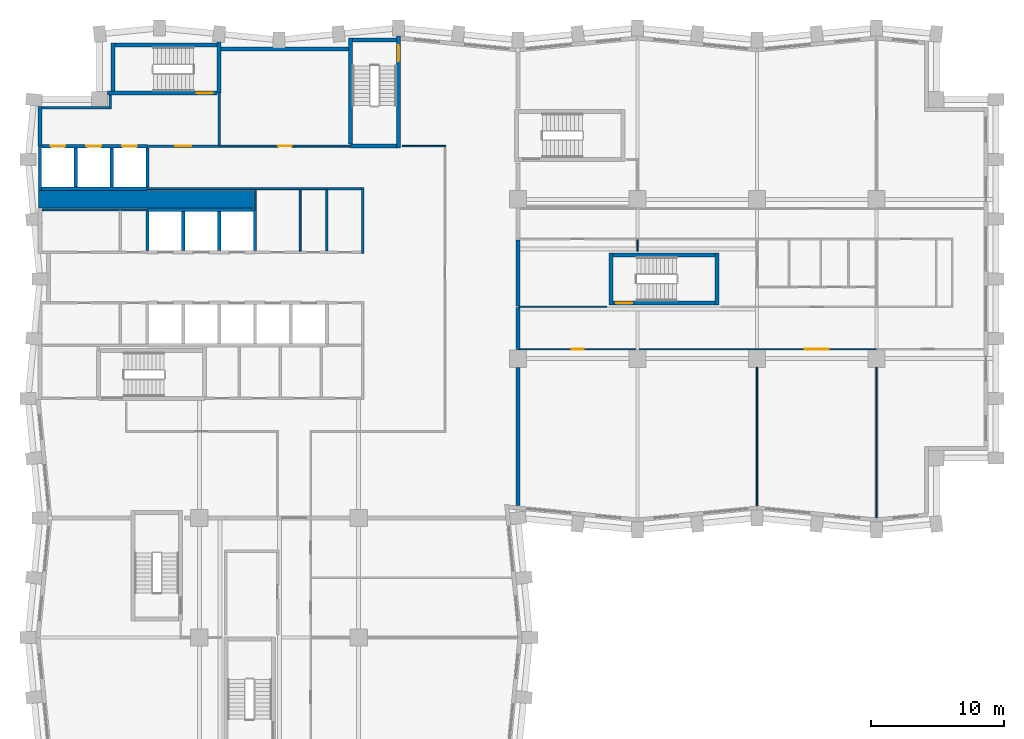
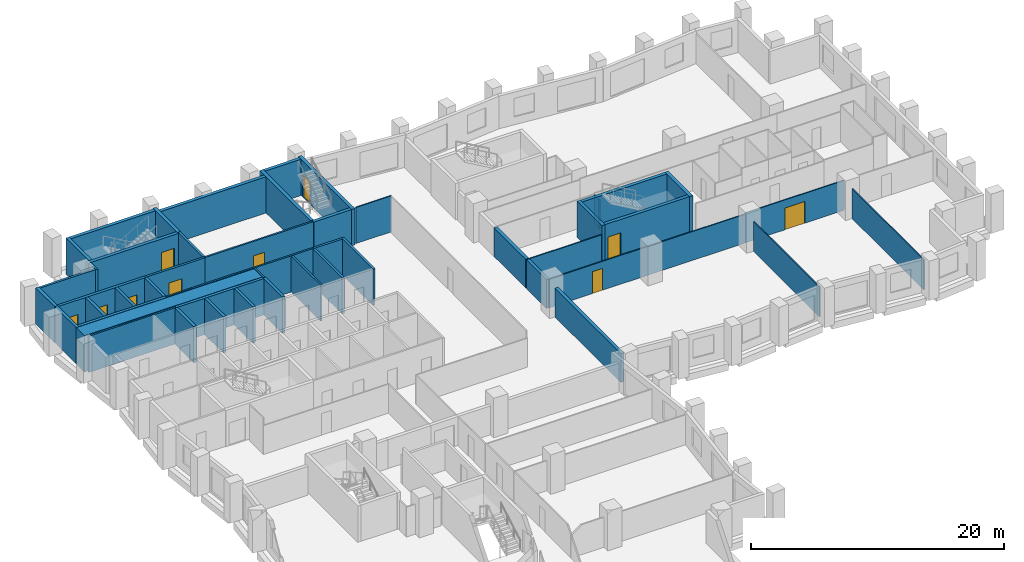
# One storey, part 6 of 11: 48 walls, 10 doors, 10 openings.
"""IFC4 building model written with IfcOpenShell, lengths in metres."""

from ifc_helpers import new_model, si_unit, direction, frame, frame_2d, origin, place, context, subcontext, project, spatial, rectangle, extrude, material, layer, layer_set, type_object, element, fill, save


model = new_model("IFC4")

# Units and contexts
model_context = context("Model", 3, precision=1e-05, world=origin(), true_north=direction((0.0, 1.0)))
body_context = subcontext(model_context, "Body", "Model", "MODEL_VIEW")
ifc_project = project(units=[si_unit("LENGTHUNIT", "METRE"), si_unit("AREAUNIT", "SQUARE_METRE"), si_unit("VOLUMEUNIT", "CUBIC_METRE"), si_unit("PLANEANGLEUNIT", "RADIAN"), si_unit("MASSUNIT", "GRAM", prefix="KILO")], contexts=[model_context])

# Site, building, storey
site_placement = place(None, origin())
site = spatial("IfcSite", under=ifc_project, at=site_placement, CompositionType="ELEMENT")
building_placement = place(site_placement, origin())
building = spatial("IfcBuilding", under=site, at=building_placement, Name="Brondeck Convention Tower", CompositionType="ELEMENT")
storey_placement = place(building_placement, frame((0.0, 0.0, 99.89990234375)))
storey = spatial("IfcBuildingStorey", under=building, at=storey_placement, Name="L23", CompositionType="ELEMENT", Elevation=99.89990234375)

# Walls
ifc_material_1 = material(Name="Concrete compartment wall C30/37", Category="concrete")
ifc_layer_1 = layer(ifc_material_1, 0.300048828125)
ifc_layer_set_1 = layer_set([ifc_layer_1], Name="Compartment wall 300")
wall_type_1 = type_object("IfcWallType", Name="Compartment wall 300", PredefinedType="PARTITIONING", material=ifc_layer_set_1)
wall_1_placement = place(storey_placement, frame((36.0, 27.924560546875, 0.0), z_axis=(0.0, 0.0, 1.0), x_axis=(0.0, 1.0, 0.0)))
element("IfcWall", 1, at=wall_1_placement, inside=storey, type_object=wall_type_1, Name="FLR-L23-W027", PredefinedType="PARTITIONING", context=body_context, shape_type="SweptSolid", body=[
    extrude(rectangle(XDim=10.42041015625, YDim=0.300048828125, at=frame_2d((5.210205078125, 0.0))), origin(), (0.0, 0.0, 1.0), 2.780029296875),
])
wall_2_placement = place(storey_placement, frame((36.0, 39.669921875, 0.0), z_axis=(0.0, 0.0, 1.0), x_axis=(0.0, 1.0, 0.0)))
element("IfcWall", 2, at=wall_2_placement, inside=storey, type_object=wall_type_1, Name="FLR-L23-W037", PredefinedType="PARTITIONING", context=body_context, shape_type="SweptSolid", body=[
    extrude(rectangle(XDim=3.18017578125, YDim=0.300048828125, at=frame_2d((1.590087890625, 0.0))), origin(), (0.0, 0.0, 1.0), 2.780029296875),
])
wall_3_placement = place(storey_placement, frame((36.0, 42.949951171875, 0.0), z_axis=(0.0, 0.0, 1.0), x_axis=(0.0, 1.0, 0.0)))
element("IfcWall", 3, at=wall_3_placement, inside=storey, type_object=wall_type_1, Name="FLR-L23-W042", PredefinedType="PARTITIONING", context=body_context, shape_type="SweptSolid", body=[
    extrude(rectangle(XDim=5.0, YDim=0.300048828125, at=frame_2d((2.5, 0.0))), origin(), (0.0, 0.0, 1.0), 2.780029296875),
])
ifc_material_2 = material(Name="Concrete C70/85", Category="concrete")
ifc_layer_2 = layer(ifc_material_2, 0.199951171875)
ifc_layer_set_2 = layer_set([ifc_layer_2], Name="Core beam-seat wall 200 Concrete C70/85")
wall_type_2 = type_object("IfcWallType", Name="Core beam-seat wall 200 Concrete C70/85", PredefinedType="SHEAR", material=ifc_layer_set_2)
wall_4_placement = place(storey_placement, frame((24.300048828125, 46.89990234375, 0.0), z_axis=(0.0, 0.0, 1.0), x_axis=(0.0, 1.0, 0.0)))
element("IfcWall", 4, at=wall_4_placement, inside=storey, type_object=wall_type_2, Name="L23 core wall", PredefinedType="SHEAR", context=body_context, shape_type="SweptSolid", body=[
    extrude(rectangle(XDim=5.0, YDim=0.199951171875, at=frame_2d((2.5, 0.0))), origin(), (0.0, 0.0, 1.0), 3.5),
])
ifc_layer_3 = layer(ifc_material_2, 0.300048828125)
ifc_layer_set_3 = layer_set([ifc_layer_3], Name="Core outer wall 300 Concrete C70/85")
wall_type_3 = type_object("IfcWallType", Name="Core outer wall 300 Concrete C70/85", PredefinedType="SHEAR", material=ifc_layer_set_3)
wall_5_placement = place(storey_placement, frame((13.64990234375, 62.300048828125, 0.0), z_axis=(0.0, 0.0, 1.0), x_axis=(1.0, 0.0, 0.0)))
element("IfcWall", 5, at=wall_5_placement, inside=storey, type_object=wall_type_3, Name="L23 core wall", PredefinedType="SHEAR", context=body_context, shape_type="SweptSolid", body=[
    extrude(rectangle(XDim=9.60009765625, YDim=0.300048828125, at=frame_2d((4.800048828125, 0.0))), origin(), (0.0, 0.0, 1.0), 3.5),
])
wall_6_placement = place(storey_placement, frame((0.0, 55.0, 0.0), z_axis=(0.0, 0.0, 1.0), x_axis=(0.0, 1.0, 0.0)))
element("IfcWall", 6, at=wall_6_placement, inside=storey, type_object=wall_type_3, Name="L23 core wall", PredefinedType="SHEAR", context=body_context, shape_type="SweptSolid", body=[
    extrude(rectangle(XDim=3.0, YDim=0.300048828125, at=frame_2d((1.5, 0.0))), origin(), (0.0, 0.0, 1.0), 3.5),
])
ifc_material_3 = material(Name="Fire-rated gypsum board partition")
ifc_layer_4 = layer(ifc_material_3, 0.14990234375)
ifc_layer_set_4 = layer_set([ifc_layer_4], Name="Core partition 150 EI 60")
wall_type_4 = type_object("IfcWallType", Name="Core partition 150 EI 60", PredefinedType="PARTITIONING", material=ifc_layer_set_4)
wall_7_placement = place(storey_placement, frame((0.14990234375, 50.199951171875, 0.0), z_axis=(0.0, 0.0, 1.0), x_axis=(1.0, 0.0, 0.0)))
element("IfcWall", 7, at=wall_7_placement, inside=storey, type_object=wall_type_4, Name="L23 core wall", PredefinedType="PARTITIONING", context=body_context, shape_type="SweptSolid", body=[
    extrude(rectangle(XDim=7.9501953125, YDim=0.14990234375, at=frame_2d((3.97509765625, 0.0))), origin(), (0.0, 0.0, 1.0), 3.5),
])
wall_8_placement = place(storey_placement, frame((8.10009765625, 51.800048828125, 0.0), z_axis=(0.0, 0.0, 1.0), x_axis=(1.0, 0.0, 0.0)))
element("IfcWall", 8, at=wall_8_placement, inside=storey, type_object=wall_type_4, Name="L23 core wall", PredefinedType="PARTITIONING", context=body_context, shape_type="SweptSolid", body=[
    extrude(rectangle(XDim=13.5, YDim=0.14990234375, at=frame_2d((6.75, 0.0))), origin(), (0.0, 0.0, 1.0), 3.5),
])

# Wall, opening, door
wall_9_placement = place(storey_placement, frame((13.5, 55.0, 0.0), z_axis=(0.0, 0.0, 1.0), x_axis=(1.0, 0.0, 0.0)))
wall_9 = element("IfcWall", 9, at=wall_9_placement, inside=storey, type_object=wall_type_4, Name="L23 core wall", PredefinedType="PARTITIONING", context=body_context, shape_type="SweptSolid", body=[
    extrude(rectangle(XDim=9.89990234375, YDim=0.14990234375, at=frame_2d((4.949951171875, 0.0))), origin(), (0.0, 0.0, 1.0), 3.5),
])
opening_1_placement = place(wall_9_placement, frame((4.449951171875, 0.0, 0.0)))
opening_1 = element("IfcOpeningElement", 10, at=opening_1_placement, cuts=wall_9, Name="Opening C15-15", PredefinedType="OPENING", context=body_context, shape_type="SweptSolid", body=[
    extrude(rectangle(XDim=1.0, YDim=2.10009765625, at=frame_2d((0.5, 1.050048828125))), frame((0.0, 0.0849609375, 0.0), z_axis=(0.0, -1.0, 0.0), x_axis=(1.0, 0.0, 0.0)), (0.0, 0.0, 1.0), 0.169921875),
])
ifc_material_4 = material(Name="Steel fire door", Category="steel")
door_type_1 = type_object("IfcDoorType", Name="Room door 1000x2100 EI 60", OperationType="NOTDEFINED", PredefinedType="DOOR", material=ifc_material_4)
door_1_placement = place(opening_1_placement, origin())
door_1 = element("IfcDoor", 11, at=door_1_placement, inside=storey, type_object=door_type_1, Name="L23 Room door NE-1", OperationType="SINGLE_SWING_LEFT", OverallHeight=2.10009765625, OverallWidth=1.0, PredefinedType="DOOR", context=body_context, shape_type="SweptSolid", body=[
    extrude(rectangle(XDim=1.0, YDim=2.10009765625, at=frame_2d((0.5, 1.050048828125))), frame((0.0, 0.02490234375, 0.0), z_axis=(0.0, -1.0, 0.0), x_axis=(1.0, 0.0, 0.0)), (0.0, 0.0, 1.0), 0.050048828125),
])
fill(opening_1, door_1)

# Walls
wall_10_placement = place(storey_placement, frame((16.199951171875, 50.199951171875, 0.0), z_axis=(0.0, 0.0, 1.0), x_axis=(0.0, 1.0, 0.0)))
element("IfcWall", 12, at=wall_10_placement, inside=storey, type_object=wall_type_4, Name="L23 core wall", PredefinedType="PARTITIONING", context=body_context, shape_type="SweptSolid", body=[
    extrude(rectangle(XDim=1.525146484375, YDim=0.14990234375, at=frame_2d((0.7626953125, 0.0))), origin(), (0.0, 0.0, 1.0), 3.5),
])
wall_11_placement = place(storey_placement, frame((19.60009765625, 47.10009765625, 0.0), z_axis=(0.0, 0.0, 1.0), x_axis=(0.0, 1.0, 0.0)))
element("IfcWall", 13, at=wall_11_placement, inside=storey, type_object=wall_type_4, Name="L23 core wall", PredefinedType="PARTITIONING", context=body_context, shape_type="SweptSolid", body=[
    extrude(rectangle(XDim=4.625, YDim=0.14990234375, at=frame_2d((2.3125, 0.0))), origin(), (0.0, 0.0, 1.0), 3.5),
])
ifc_layer_5 = layer(ifc_material_2, 1.300048828125)
ifc_layer_set_5 = layer_set([ifc_layer_5], Name="Core shear wall 1300 Concrete C70/85")
wall_type_5 = type_object("IfcWallType", Name="Core shear wall 1300 Concrete C70/85", PredefinedType="SHEAR", material=ifc_layer_set_5)
wall_12_placement = place(storey_placement, frame((-0.125, 51.0, 0.0), z_axis=(0.0, 0.0, 1.0), x_axis=(1.0, 0.0, 0.0)))
element("IfcWall", 14, at=wall_12_placement, inside=storey, type_object=wall_type_5, Name="L23 core wall", PredefinedType="SHEAR", context=body_context, shape_type="SweptSolid", body=[
    extrude(rectangle(XDim=16.22509765625, YDim=1.300048828125, at=frame_2d((8.112548828125, 0.0))), origin(), (0.0, 0.0, 1.0), 3.5),
])

# Wall, opening, door
ifc_layer_6 = layer(ifc_material_3, 0.199951171875)
ifc_layer_set_6 = layer_set([ifc_layer_6], Name="Firefighting lobby wall 200 EI 120")
wall_type_6 = type_object("IfcWallType", Name="Firefighting lobby wall 200 EI 120", PredefinedType="PARTITIONING", material=ifc_layer_set_6)
wall_13_placement = place(storey_placement, frame((8.10009765625, 55.0, 0.0), z_axis=(0.0, 0.0, 1.0), x_axis=(1.0, 0.0, 0.0)))
wall_13 = element("IfcWall", 15, at=wall_13_placement, inside=storey, type_object=wall_type_6, Name="L23 core wall", PredefinedType="PARTITIONING", context=body_context, shape_type="SweptSolid", body=[
    extrude(rectangle(XDim=5.39990234375, YDim=0.199951171875, at=frame_2d((2.699951171875, 0.0))), origin(), (0.0, 0.0, 1.0), 3.5),
])
opening_2_placement = place(wall_13_placement, frame((2.10009765625, 0.0, 0.0)))
opening_2 = element("IfcOpeningElement", 16, at=opening_2_placement, cuts=wall_13, Name="Opening C15-01", PredefinedType="OPENING", context=body_context, shape_type="SweptSolid", body=[
    extrude(rectangle(XDim=1.199951171875, YDim=2.199951171875, at=frame_2d((0.60009765625, 1.10009765625))), frame((0.0, 0.10986328125, 0.0), z_axis=(0.0, -1.0, 0.0), x_axis=(1.0, 0.0, 0.0)), (0.0, 0.0, 1.0), 0.219970703125),
])
door_type_2 = type_object("IfcDoorType", Name="Firefighting lobby door 1200x2200 EI 120", OperationType="NOTDEFINED", PredefinedType="DOOR", material=ifc_material_4)
door_2_placement = place(opening_2_placement, origin())
door_2 = element("IfcDoor", 17, at=door_2_placement, inside=storey, type_object=door_type_2, Name="L23 Firefighting lobby door FFL-1", OperationType="SINGLE_SWING_RIGHT", OverallHeight=2.199951171875, OverallWidth=1.199951171875, PredefinedType="DOOR", context=body_context, shape_type="SweptSolid", body=[
    extrude(rectangle(XDim=1.199951171875, YDim=2.199951171875, at=frame_2d((0.60009765625, 1.10009765625))), frame((0.0, 0.02490234375, 0.0), z_axis=(0.0, -1.0, 0.0), x_axis=(1.0, 0.0, 0.0)), (0.0, 0.0, 1.0), 0.050048828125),
])
fill(opening_2, door_2)

# Walls
wall_14_placement = place(storey_placement, frame((0.14990234375, 57.89990234375, 0.0), z_axis=(0.0, 0.0, 1.0), x_axis=(1.0, 0.0, 0.0)))
element("IfcWall", 18, at=wall_14_placement, inside=storey, type_object=wall_type_6, Name="L23 core wall", PredefinedType="PARTITIONING", context=body_context, shape_type="SweptSolid", body=[
    extrude(rectangle(XDim=5.050048828125, YDim=0.199951171875, at=frame_2d((2.52490234375, 0.0))), origin(), (0.0, 0.0, 1.0), 3.5),
])
wall_15_placement = place(storey_placement, frame((5.300048828125, 57.800048828125, 0.0), z_axis=(0.0, 0.0, 1.0), x_axis=(0.0, 1.0, 0.0)))
element("IfcWall", 19, at=wall_15_placement, inside=storey, type_object=wall_type_6, Name="L23 core wall", PredefinedType="PARTITIONING", context=body_context, shape_type="SweptSolid", body=[
    extrude(rectangle(XDim=1.050048828125, YDim=0.199951171875, at=frame_2d((0.52490234375, 0.0))), origin(), (0.0, 0.0, 1.0), 3.5),
])
wall_16_placement = place(storey_placement, frame((13.5, 55.10009765625, 0.0), z_axis=(0.0, 0.0, 1.0), x_axis=(0.0, 1.0, 0.0)))
element("IfcWall", 20, at=wall_16_placement, inside=storey, type_object=wall_type_6, Name="L23 core wall", PredefinedType="PARTITIONING", context=body_context, shape_type="SweptSolid", body=[
    extrude(rectangle(XDim=3.89990234375, YDim=0.199951171875, at=frame_2d((1.949951171875, 0.0))), origin(), (0.0, 0.0, 1.0), 3.5),
])
ifc_layer_7 = layer(ifc_material_2, 0.25)
ifc_layer_set_7 = layer_set([ifc_layer_7], Name="Lift shaft wall 250 Concrete C70/85")
wall_type_7 = type_object("IfcWallType", Name="Lift shaft wall 250 Concrete C70/85", PredefinedType="SHEAR", material=ifc_layer_set_7)
wall_17_placement = place(storey_placement, frame((8.10009765625, 50.199951171875, 0.0), z_axis=(0.0, 0.0, 1.0), x_axis=(1.0, 0.0, 0.0)))
element("IfcWall", 21, at=wall_17_placement, inside=storey, type_object=wall_type_7, Name="L23 core wall", PredefinedType="SHEAR", context=body_context, shape_type="SweptSolid", body=[
    extrude(rectangle(XDim=7.974853515625, YDim=0.25, at=frame_2d((3.9873046875, 0.0))), origin(), (0.0, 0.0, 1.0), 3.5),
])
wall_18_placement = place(storey_placement, frame((0.125, 51.800048828125, 0.0), z_axis=(0.0, 0.0, 1.0), x_axis=(1.0, 0.0, 0.0)))
element("IfcWall", 22, at=wall_18_placement, inside=storey, type_object=wall_type_7, Name="L23 core wall", PredefinedType="SHEAR", context=body_context, shape_type="SweptSolid", body=[
    extrude(rectangle(XDim=7.97509765625, YDim=0.25, at=frame_2d((3.987548828125, 0.0))), origin(), (0.0, 0.0, 1.0), 3.5),
])

# Wall, openings, doors
wall_19_placement = place(storey_placement, frame((0.14990234375, 55.0, 0.0), z_axis=(0.0, 0.0, 1.0), x_axis=(1.0, 0.0, 0.0)))
wall_19 = element("IfcWall", 23, at=wall_19_placement, inside=storey, type_object=wall_type_7, Name="L23 core wall", PredefinedType="SHEAR", context=body_context, shape_type="SweptSolid", body=[
    extrude(rectangle(XDim=7.9501953125, YDim=0.25, at=frame_2d((3.97509765625, 0.0))), origin(), (0.0, 0.0, 1.0), 3.5),
])
opening_3_placement = place(wall_19_placement, frame((0.64990234375, 0.0, 0.0)))
opening_3 = element("IfcOpeningElement", 24, at=opening_3_placement, cuts=wall_19, Name="Opening C15-23", PredefinedType="OPENING", context=body_context, shape_type="SweptSolid", body=[
    extrude(rectangle(XDim=1.10009765625, YDim=2.10009765625, at=frame_2d((0.550048828125, 1.050048828125))), frame((0.0, 0.135009765625, 0.0), z_axis=(0.0, -1.0, 0.0), x_axis=(1.0, 0.0, 0.0)), (0.0, 0.0, 1.0), 0.27001953125),
])
opening_4_placement = place(wall_19_placement, frame((3.35009765625, 0.0, 0.0)))
opening_4 = element("IfcOpeningElement", 25, at=opening_4_placement, cuts=wall_19, Name="Opening C15-24", PredefinedType="OPENING", context=body_context, shape_type="SweptSolid", body=[
    extrude(rectangle(XDim=1.10009765625, YDim=2.10009765625, at=frame_2d((0.550048828125, 1.050048828125))), frame((0.0, 0.135009765625, 0.0), z_axis=(0.0, -1.0, 0.0), x_axis=(1.0, 0.0, 0.0)), (0.0, 0.0, 1.0), 0.27001953125),
])
opening_5_placement = place(wall_19_placement, frame((6.050048828125, 0.0, 0.0)))
opening_5 = element("IfcOpeningElement", 26, at=opening_5_placement, cuts=wall_19, Name="Opening C15-25", PredefinedType="OPENING", context=body_context, shape_type="SweptSolid", body=[
    extrude(rectangle(XDim=1.10009765625, YDim=2.10009765625, at=frame_2d((0.550048828125, 1.050048828125))), frame((0.0, 0.135009765625, 0.0), z_axis=(0.0, -1.0, 0.0), x_axis=(1.0, 0.0, 0.0)), (0.0, 0.0, 1.0), 0.27001953125),
])
ifc_material_5 = material(Name="Stainless steel lift door", Category="steel")
door_type_3 = type_object("IfcDoorType", Name="Lift landing door 1100x2100 EI 180", OperationType="DOUBLE_DOOR_SLIDING", PredefinedType="DOOR", material=ifc_material_5)
door_3_placement = place(opening_3_placement, origin())
door_3 = element("IfcDoor", 27, at=door_3_placement, inside=storey, type_object=door_type_3, Name="L23 Lift landing door FF1", OperationType="DOUBLE_DOOR_SLIDING", OverallHeight=2.10009765625, OverallWidth=1.10009765625, PredefinedType="DOOR", context=body_context, shape_type="SweptSolid", body=[
    extrude(rectangle(XDim=1.10009765625, YDim=2.10009765625, at=frame_2d((0.550048828125, 1.050048828125))), frame((0.0, 0.02490234375, 0.0), z_axis=(0.0, -1.0, 0.0), x_axis=(1.0, 0.0, 0.0)), (0.0, 0.0, 1.0), 0.050048828125),
])
fill(opening_3, door_3)
door_4_placement = place(opening_4_placement, origin())
door_4 = element("IfcDoor", 28, at=door_4_placement, inside=storey, type_object=door_type_3, Name="L23 Lift landing door FF2", OperationType="DOUBLE_DOOR_SLIDING", OverallHeight=2.10009765625, OverallWidth=1.10009765625, PredefinedType="DOOR", context=body_context, shape_type="SweptSolid", body=[
    extrude(rectangle(XDim=1.10009765625, YDim=2.10009765625, at=frame_2d((0.550048828125, 1.050048828125))), frame((0.0, 0.02490234375, 0.0), z_axis=(0.0, -1.0, 0.0), x_axis=(1.0, 0.0, 0.0)), (0.0, 0.0, 1.0), 0.050048828125),
])
fill(opening_4, door_4)
door_5_placement = place(opening_5_placement, origin())
door_5 = element("IfcDoor", 29, at=door_5_placement, inside=storey, type_object=door_type_3, Name="L23 Lift landing door FF3", OperationType="DOUBLE_DOOR_SLIDING", OverallHeight=2.10009765625, OverallWidth=1.10009765625, PredefinedType="DOOR", context=body_context, shape_type="SweptSolid", body=[
    extrude(rectangle(XDim=1.10009765625, YDim=2.10009765625, at=frame_2d((0.550048828125, 1.050048828125))), frame((0.0, 0.02490234375, 0.0), z_axis=(0.0, -1.0, 0.0), x_axis=(1.0, 0.0, 0.0)), (0.0, 0.0, 1.0), 0.050048828125),
])
fill(opening_5, door_5)

# Walls
wall_20_placement = place(storey_placement, frame((0.0, 51.64990234375, 0.0), z_axis=(0.0, 0.0, 1.0), x_axis=(0.0, 1.0, 0.0)))
element("IfcWall", 30, at=wall_20_placement, inside=storey, type_object=wall_type_7, Name="L23 core wall", PredefinedType="SHEAR", context=body_context, shape_type="SweptSolid", body=[
    extrude(rectangle(XDim=3.35009765625, YDim=0.25, at=frame_2d((1.675048828125, 0.0))), origin(), (0.0, 0.0, 1.0), 3.5),
])
for number, where, z_axis, x_axis, name in (
    (31, (2.699951171875, 51.925048828125, 0.0), (0.0, 0.0, 1.0), (0.0, 1.0, 0.0), "L23 core wall"),
    (32, (5.39990234375, 51.925048828125, 0.0), (0.0, 0.0, 1.0), (0.0, 1.0, 0.0), "L23 core wall"),
    (33, (8.10009765625, 47.125, 0.0), (0.0, 0.0, 1.0), (0.0, 1.0, 0.0), "L23 core wall"),
    (34, (8.10009765625, 51.925048828125, 0.0), (0.0, 0.0, 1.0), (0.0, 1.0, 0.0), "L23 core wall"),
    (35, (10.800048828125, 47.125, 0.0), (0.0, 0.0, 1.0), (0.0, 1.0, 0.0), "L23 core wall"),
    (36, (13.5, 47.125, 0.0), (0.0, 0.0, 1.0), (0.0, 1.0, 0.0), "L23 core wall"),
):
    element("IfcWall", number, at=place(storey_placement, frame(where, z_axis=z_axis, x_axis=x_axis)), inside=storey, type_object=wall_type_7, Name=name, PredefinedType="SHEAR", context=body_context, shape_type="SweptSolid", body=[
        extrude(rectangle(XDim=2.949951171875, YDim=0.25, at=frame_2d((1.47509765625, 0.0))), origin(), (0.0, 0.0, 1.0), 3.5),
    ])
wall_21_placement = place(storey_placement, frame((16.199951171875, 47.125, 0.0), z_axis=(0.0, 0.0, 1.0), x_axis=(0.0, 1.0, 0.0)))
element("IfcWall", 37, at=wall_21_placement, inside=storey, type_object=wall_type_7, Name="L23 core wall", PredefinedType="SHEAR", context=body_context, shape_type="SweptSolid", body=[
    extrude(rectangle(XDim=3.074951171875, YDim=0.25, at=frame_2d((1.53759765625, 0.0))), origin(), (0.0, 0.0, 1.0), 3.5),
])
ifc_layer_8 = layer(ifc_material_3, 0.199951171875)
ifc_layer_set_8 = layer_set([ifc_layer_8], Name="Riser wall 200 EI 120")
wall_type_8 = type_object("IfcWallType", Name="Riser wall 200 EI 120", PredefinedType="PARTITIONING", material=ifc_layer_set_8)
wall_22_placement = place(storey_placement, frame((21.60009765625, 51.800048828125, 0.0), z_axis=(0.0, 0.0, 1.0), x_axis=(1.0, 0.0, 0.0)))
element("IfcWall", 38, at=wall_22_placement, inside=storey, type_object=wall_type_8, Name="L23 core wall", PredefinedType="PARTITIONING", context=body_context, shape_type="SweptSolid", body=[
    extrude(rectangle(XDim=2.599853515625, YDim=0.199951171875, at=frame_2d((1.2998046875, 0.0))), origin(), (0.0, 0.0, 1.0), 3.5),
])
wall_23_placement = place(storey_placement, frame((21.60009765625, 47.10009765625, 0.0), z_axis=(0.0, 0.0, 1.0), x_axis=(0.0, 1.0, 0.0)))
element("IfcWall", 39, at=wall_23_placement, inside=storey, type_object=wall_type_8, Name="L23 core wall", PredefinedType="PARTITIONING", context=body_context, shape_type="SweptSolid", body=[
    extrude(rectangle(XDim=4.599853515625, YDim=0.199951171875, at=frame_2d((2.2998046875, 0.0))), origin(), (0.0, 0.0, 1.0), 3.5),
])
ifc_material_6 = material(Name="Gypsum board partition on steel studs", Category="steel")
ifc_layer_9 = layer(ifc_material_6, 0.10009765625)
ifc_layer_set_9 = layer_set([ifc_layer_9], Name="Room partition 100")
wall_type_9 = type_object("IfcWallType", Name="Room partition 100", PredefinedType="PARTITIONING", material=ifc_layer_set_9)
wall_24_placement = place(storey_placement, frame((54.0, 38.344970703125, 0.0), z_axis=(0.0, 0.0, 1.0), x_axis=(0.0, -1.0, 0.0)))
element("IfcWall", 40, at=wall_24_placement, inside=storey, type_object=wall_type_9, Name="FLR-L23-W032", PredefinedType="PARTITIONING", context=body_context, shape_type="SweptSolid", body=[
    extrude(rectangle(XDim=10.42041015625, YDim=0.10009765625, at=frame_2d((5.210205078125, 0.0))), origin(), (0.0, 0.0, 1.0), 2.880126953125),
])
wall_25_placement = place(storey_placement, frame((63.0, 38.344970703125, 0.0), z_axis=(0.0, 0.0, 1.0), x_axis=(0.0, -1.0, 0.0)))
element("IfcWall", 41, at=wall_25_placement, inside=storey, type_object=wall_type_9, Name="FLR-L23-W033", PredefinedType="PARTITIONING", context=body_context, shape_type="SweptSolid", body=[
    extrude(rectangle(XDim=11.320556640625, YDim=0.10009765625, at=frame_2d((5.66015625, 0.0))), origin(), (0.0, 0.0, 1.0), 2.880126953125),
])

# Wall, opening, door
wall_26_placement = place(storey_placement, frame((54.0, 39.699951171875, 0.0), z_axis=(0.0, 0.0, 1.0), x_axis=(-1.0, 0.0, 0.0)))
wall_26 = element("IfcWall", 42, at=wall_26_placement, inside=storey, type_object=wall_type_9, Name="FLR-L23-W034", PredefinedType="PARTITIONING", context=body_context, shape_type="SweptSolid", body=[
    extrude(rectangle(XDim=17.949951171875, YDim=0.10009765625, at=frame_2d((8.97509765625, 0.0))), origin(), (0.0, 0.0, 1.0), 2.780029296875),
])
opening_6_placement = place(wall_26_placement, frame((13.050048828125, 0.0, 0.0)))
opening_6 = element("IfcOpeningElement", 43, at=opening_6_placement, cuts=wall_26, Name="Opening OF-B-009", PredefinedType="OPENING", context=body_context, shape_type="SweptSolid", body=[
    extrude(rectangle(XDim=0.89990234375, YDim=2.10009765625, at=frame_2d((0.449951171875, 1.050048828125))), frame((0.0, 0.06005859375, 0.0), z_axis=(0.0, -1.0, 0.0), x_axis=(1.0, 0.0, 0.0)), (0.0, 0.0, 1.0), 0.1201171875),
])
ifc_material_7 = material(Name="Solid timber door leaf", Category="wood")
door_type_4 = type_object("IfcDoorType", Name="Single door 900", OperationType="NOTDEFINED", PredefinedType="DOOR", material=ifc_material_7)
door_6_placement = place(opening_6_placement, origin())
door_6 = element("IfcDoor", 44, at=door_6_placement, inside=storey, type_object=door_type_4, Name="Door OF-B-009", OperationType="SINGLE_SWING_LEFT", OverallHeight=2.10009765625, OverallWidth=0.89990234375, PredefinedType="DOOR", context=body_context, shape_type="SweptSolid", body=[
    extrude(rectangle(XDim=0.89990234375, YDim=2.10009765625, at=frame_2d((0.449951171875, 1.050048828125))), frame((0.0, 0.02490234375, 0.0), z_axis=(0.0, -1.0, 0.0), x_axis=(1.0, 0.0, 0.0)), (0.0, 0.0, 1.0), 0.050048828125),
])
fill(opening_6, door_6)

wall_27_placement = place(storey_placement, frame((63.0, 39.699951171875, 0.0), z_axis=(0.0, 0.0, 1.0), x_axis=(-1.0, 0.0, 0.0)))
wall_27 = element("IfcWall", 45, at=wall_27_placement, inside=storey, type_object=wall_type_9, Name="FLR-L23-W035", PredefinedType="PARTITIONING", context=body_context, shape_type="SweptSolid", body=[
    extrude(rectangle(XDim=9.0, YDim=0.10009765625, at=frame_2d((4.5, 0.0))), origin(), (0.0, 0.0, 1.0), 2.880126953125),
])
opening_7_placement = place(wall_27_placement, frame((3.60009765625, 0.0, 0.0)))
opening_7 = element("IfcOpeningElement", 46, at=opening_7_placement, cuts=wall_27, Name="Opening OF-B-010", PredefinedType="OPENING", context=body_context, shape_type="SweptSolid", body=[
    extrude(rectangle(XDim=1.800048828125, YDim=2.10009765625, at=frame_2d((0.89990234375, 1.050048828125))), frame((0.0, 0.06005859375, 0.0), z_axis=(0.0, -1.0, 0.0), x_axis=(1.0, 0.0, 0.0)), (0.0, 0.0, 1.0), 0.1201171875),
])
ifc_material_8 = material(Name="Glazed timber double door", Category="wood")
door_type_5 = type_object("IfcDoorType", Name="Double door 1800", OperationType="DOUBLE_DOOR_SINGLE_SWING", PredefinedType="DOOR", material=ifc_material_8)
door_7_placement = place(opening_7_placement, origin())
door_7 = element("IfcDoor", 47, at=door_7_placement, inside=storey, type_object=door_type_5, Name="Door OF-B-010", OperationType="DOUBLE_DOOR_SINGLE_SWING", OverallHeight=2.10009765625, OverallWidth=1.800048828125, PredefinedType="DOOR", context=body_context, shape_type="SweptSolid", body=[
    extrude(rectangle(XDim=1.800048828125, YDim=2.10009765625, at=frame_2d((0.89990234375, 1.050048828125))), frame((0.0, 0.02490234375, 0.0), z_axis=(0.0, -1.0, 0.0), x_axis=(1.0, 0.0, 0.0)), (0.0, 0.0, 1.0), 0.050048828125),
])
fill(opening_7, door_7)

# Walls
wall_28_placement = place(storey_placement, frame((36.050048828125, 42.89990234375, 0.0), z_axis=(0.0, 0.0, 1.0), x_axis=(1.0, 0.0, 0.0)))
element("IfcWall", 48, at=wall_28_placement, inside=storey, type_object=wall_type_9, Name="FLR-L23-W038", PredefinedType="PARTITIONING", context=body_context, shape_type="SweptSolid", body=[
    extrude(rectangle(XDim=6.64990234375, YDim=0.10009765625, at=frame_2d((3.324951171875, 0.0))), origin(), (0.0, 0.0, 1.0), 2.780029296875),
])
wall_29_placement = place(storey_placement, frame((45.0, 47.949951171875, 0.0), z_axis=(0.0, 0.0, 1.0), x_axis=(0.0, -1.0, 0.0)))
element("IfcWall", 49, at=wall_29_placement, inside=storey, type_object=wall_type_9, Name="FLR-L23-W049", PredefinedType="PARTITIONING", context=body_context, shape_type="SweptSolid", body=[
    extrude(rectangle(XDim=0.849853515625, YDim=0.10009765625, at=frame_2d((0.4248046875, 0.0))), origin(), (0.0, 0.0, 1.0), 2.780029296875),
])
wall_30_placement = place(storey_placement, frame((27.300048828125, 55.0, 0.0), z_axis=(0.0, 0.0, 1.0), x_axis=(1.0, 0.0, 0.0)))
element("IfcWall", 50, at=wall_30_placement, inside=storey, type_object=wall_type_9, Name="FLR-L23-W073", PredefinedType="PARTITIONING", context=body_context, shape_type="SweptSolid", body=[
    extrude(rectangle(XDim=3.25, YDim=0.10009765625, at=frame_2d((1.625, 0.0))), origin(), (0.0, 0.0, 1.0), 3.47998046875),
])

# Wall, opening, door
ifc_layer_10 = layer(ifc_material_2, 0.300048828125)
ifc_layer_set_10 = layer_set([ifc_layer_10], Name="Stair enclosure wall 300 Concrete C70/85")
wall_type_10 = type_object("IfcWallType", Name="Stair enclosure wall 300 Concrete C70/85", PredefinedType="SHEAR", material=ifc_layer_set_10)
wall_31_placement = place(storey_placement, frame((43.14990234375, 43.199951171875, 0.0), z_axis=(0.0, 0.0, 1.0), x_axis=(1.0, 0.0, 0.0)))
wall_31 = element("IfcWall", 51, at=wall_31_placement, inside=storey, type_object=wall_type_10, Name="L23 core wall", PredefinedType="SHEAR", context=body_context, shape_type="SweptSolid", body=[
    extrude(rectangle(XDim=7.7001953125, YDim=0.300048828125, at=frame_2d((3.85009765625, 0.0))), origin(), (0.0, 0.0, 1.0), 3.5),
])
opening_8_placement = place(wall_31_placement, frame((0.25, 0.0, 0.0)))
opening_8 = element("IfcOpeningElement", 52, at=opening_8_placement, cuts=wall_31, Name="Opening C15-20", PredefinedType="OPENING", context=body_context, shape_type="SweptSolid", body=[
    extrude(rectangle(XDim=1.199951171875, YDim=2.199951171875, at=frame_2d((0.60009765625, 1.10009765625))), frame((0.0, 0.159912109375, 0.0), z_axis=(0.0, -1.0, 0.0), x_axis=(1.0, 0.0, 0.0)), (0.0, 0.0, 1.0), 0.320068359375),
])
door_type_6 = type_object("IfcDoorType", Name="Stair door 1200x2200 EI 90", OperationType="NOTDEFINED", PredefinedType="DOOR", material=ifc_material_4)
door_8_placement = place(opening_8_placement, origin())
door_8 = element("IfcDoor", 53, at=door_8_placement, inside=storey, type_object=door_type_6, Name="L23 Stair door ST-AF", OperationType="SINGLE_SWING_RIGHT", OverallHeight=2.199951171875, OverallWidth=1.199951171875, PredefinedType="DOOR", context=body_context, shape_type="SweptSolid", body=[
    extrude(rectangle(XDim=1.199951171875, YDim=2.199951171875, at=frame_2d((0.60009765625, 1.10009765625))), frame((0.0, 0.02490234375, 0.0), z_axis=(0.0, -1.0, 0.0), x_axis=(1.0, 0.0, 0.0)), (0.0, 0.0, 1.0), 0.050048828125),
])
fill(opening_8, door_8)

# Walls
wall_32_placement = place(storey_placement, frame((43.14990234375, 46.800048828125, 0.0), z_axis=(0.0, 0.0, 1.0), x_axis=(1.0, 0.0, 0.0)))
element("IfcWall", 54, at=wall_32_placement, inside=storey, type_object=wall_type_10, Name="L23 core wall", PredefinedType="SHEAR", context=body_context, shape_type="SweptSolid", body=[
    extrude(rectangle(XDim=7.7001953125, YDim=0.300048828125, at=frame_2d((3.85009765625, 0.0))), origin(), (0.0, 0.0, 1.0), 3.5),
])
wall_33_placement = place(storey_placement, frame((23.39990234375, 55.0, 0.0), z_axis=(0.0, 0.0, 1.0), x_axis=(1.0, 0.0, 0.0)))
element("IfcWall", 55, at=wall_33_placement, inside=storey, type_object=wall_type_10, Name="L23 core wall", PredefinedType="SHEAR", context=body_context, shape_type="SweptSolid", body=[
    extrude(rectangle(XDim=3.4501953125, YDim=0.300048828125, at=frame_2d((1.72509765625, 0.0))), origin(), (0.0, 0.0, 1.0), 3.5),
])

# Wall, opening, door
wall_34_placement = place(storey_placement, frame((5.10009765625, 59.0, 0.0), z_axis=(0.0, 0.0, 1.0), x_axis=(1.0, 0.0, 0.0)))
wall_34 = element("IfcWall", 56, at=wall_34_placement, inside=storey, type_object=wall_type_10, Name="L23 core wall", PredefinedType="SHEAR", context=body_context, shape_type="SweptSolid", body=[
    extrude(rectangle(XDim=8.25, YDim=0.300048828125, at=frame_2d((4.125, 0.0))), origin(), (0.0, 0.0, 1.0), 3.5),
])
opening_9_placement = place(wall_34_placement, frame((6.699951171875, 0.0, 0.0)))
opening_9 = element("IfcOpeningElement", 57, at=opening_9_placement, cuts=wall_34, Name="Opening C15-18", PredefinedType="OPENING", context=body_context, shape_type="SweptSolid", body=[
    extrude(rectangle(XDim=1.199951171875, YDim=2.199951171875, at=frame_2d((0.60009765625, 1.10009765625))), frame((0.0, 0.159912109375, 0.0), z_axis=(0.0, -1.0, 0.0), x_axis=(1.0, 0.0, 0.0)), (0.0, 0.0, 1.0), 0.320068359375),
])
door_type_7 = type_object("IfcDoorType", Name="Stair door 1200x2200 EI 120", OperationType="NOTDEFINED", PredefinedType="DOOR", material=ifc_material_4)
door_9_placement = place(opening_9_placement, origin())
door_9 = element("IfcDoor", 58, at=door_9_placement, inside=storey, type_object=door_type_7, Name="L23 Stair door ST-3", OperationType="SINGLE_SWING_RIGHT", OverallHeight=2.199951171875, OverallWidth=1.199951171875, PredefinedType="DOOR", context=body_context, shape_type="SweptSolid", body=[
    extrude(rectangle(XDim=1.199951171875, YDim=2.199951171875, at=frame_2d((0.60009765625, 1.10009765625))), frame((0.0, 0.02490234375, 0.0), z_axis=(0.0, -1.0, 0.0), x_axis=(1.0, 0.0, 0.0)), (0.0, 0.0, 1.0), 0.050048828125),
])
fill(opening_9, door_9)

# Walls
wall_35_placement = place(storey_placement, frame((5.64990234375, 62.60009765625, 0.0), z_axis=(0.0, 0.0, 1.0), x_axis=(1.0, 0.0, 0.0)))
element("IfcWall", 59, at=wall_35_placement, inside=storey, type_object=wall_type_10, Name="L23 core wall", PredefinedType="SHEAR", context=body_context, shape_type="SweptSolid", body=[
    extrude(rectangle(XDim=7.7001953125, YDim=0.300048828125, at=frame_2d((3.85009765625, 0.0))), origin(), (0.0, 0.0, 1.0), 3.5),
])
wall_36_placement = place(storey_placement, frame((23.550048828125, 63.0, 0.0), z_axis=(0.0, 0.0, 1.0), x_axis=(1.0, 0.0, 0.0)))
element("IfcWall", 60, at=wall_36_placement, inside=storey, type_object=wall_type_10, Name="L23 core wall", PredefinedType="SHEAR", context=body_context, shape_type="SweptSolid", body=[
    extrude(rectangle(XDim=3.300048828125, YDim=0.300048828125, at=frame_2d((1.64990234375, 0.0))), origin(), (0.0, 0.0, 1.0), 3.5),
])
wall_37_placement = place(storey_placement, frame((5.5, 59.14990234375, 0.0), z_axis=(0.0, 0.0, 1.0), x_axis=(0.0, 1.0, 0.0)))
element("IfcWall", 61, at=wall_37_placement, inside=storey, type_object=wall_type_10, Name="L23 core wall", PredefinedType="SHEAR", context=body_context, shape_type="SweptSolid", body=[
    extrude(rectangle(XDim=3.60009765625, YDim=0.300048828125, at=frame_2d((1.800048828125, 0.0))), origin(), (0.0, 0.0, 1.0), 3.5),
])
wall_38_placement = place(storey_placement, frame((13.5, 59.0, 0.0), z_axis=(0.0, 0.0, 1.0), x_axis=(0.0, 1.0, 0.0)))
element("IfcWall", 62, at=wall_38_placement, inside=storey, type_object=wall_type_10, Name="L23 core wall", PredefinedType="SHEAR", context=body_context, shape_type="SweptSolid", body=[
    extrude(rectangle(XDim=3.846923828125, YDim=0.300048828125, at=frame_2d((1.92333984375, 0.0))), origin(), (0.0, 0.0, 1.0), 3.5),
])
wall_39_placement = place(storey_placement, frame((23.39990234375, 55.14990234375, 0.0), z_axis=(0.0, 0.0, 1.0), x_axis=(0.0, 1.0, 0.0)))
element("IfcWall", 63, at=wall_39_placement, inside=storey, type_object=wall_type_10, Name="L23 core wall", PredefinedType="SHEAR", context=body_context, shape_type="SweptSolid", body=[
    extrude(rectangle(XDim=8.0, YDim=0.300048828125, at=frame_2d((4.0, 0.0))), origin(), (0.0, 0.0, 1.0), 3.5),
])

# Wall, opening, door
wall_40_placement = place(storey_placement, frame((27.0, 54.85009765625, 0.0), z_axis=(0.0, 0.0, 1.0), x_axis=(0.0, 1.0, 0.0)))
wall_40 = element("IfcWall", 64, at=wall_40_placement, inside=storey, type_object=wall_type_10, Name="L23 core wall", PredefinedType="SHEAR", context=body_context, shape_type="SweptSolid", body=[
    extrude(rectangle(XDim=8.449951171875, YDim=0.300048828125, at=frame_2d((4.22509765625, 0.0))), origin(), (0.0, 0.0, 1.0), 3.5),
])
opening_10_placement = place(wall_40_placement, frame((6.550048828125, 0.0, 0.0)))
opening_10 = element("IfcOpeningElement", 65, at=opening_10_placement, cuts=wall_40, Name="Opening C15-17", PredefinedType="OPENING", context=body_context, shape_type="SweptSolid", body=[
    extrude(rectangle(XDim=1.199951171875, YDim=2.199951171875, at=frame_2d((0.60009765625, 1.10009765625))), frame((0.0, 0.159912109375, 0.0), z_axis=(0.0, -1.0, 0.0), x_axis=(1.0, 0.0, 0.0)), (0.0, 0.0, 1.0), 0.320068359375),
])
door_10_placement = place(opening_10_placement, origin())
door_10 = element("IfcDoor", 66, at=door_10_placement, inside=storey, type_object=door_type_6, Name="L23 Stair door ST-2", OperationType="SINGLE_SWING_LEFT", OverallHeight=2.199951171875, OverallWidth=1.199951171875, PredefinedType="DOOR", context=body_context, shape_type="SweptSolid", body=[
    extrude(rectangle(XDim=1.199951171875, YDim=2.199951171875, at=frame_2d((0.60009765625, 1.10009765625))), frame((0.0, 0.02490234375, 0.0), z_axis=(0.0, -1.0, 0.0), x_axis=(1.0, 0.0, 0.0)), (0.0, 0.0, 1.0), 0.050048828125),
])
fill(opening_10, door_10)

# Walls
for number, where, z_axis, x_axis, name in (
    (67, (43.0, 43.050048828125, 0.0), (0.0, 0.0, 1.0), (0.0, 1.0, 0.0), "L23 core wall"),
    (68, (51.0, 43.050048828125, 0.0), (0.0, 0.0, 1.0), (0.0, 1.0, 0.0), "L23 core wall"),
):
    element("IfcWall", number, at=place(storey_placement, frame(where, z_axis=z_axis, x_axis=x_axis)), inside=storey, type_object=wall_type_10, Name=name, PredefinedType="SHEAR", context=body_context, shape_type="SweptSolid", body=[
        extrude(rectangle(XDim=3.89990234375, YDim=0.300048828125, at=frame_2d((1.949951171875, 0.0))), origin(), (0.0, 0.0, 1.0), 3.5),
    ])

save(model, "model.ifc")
